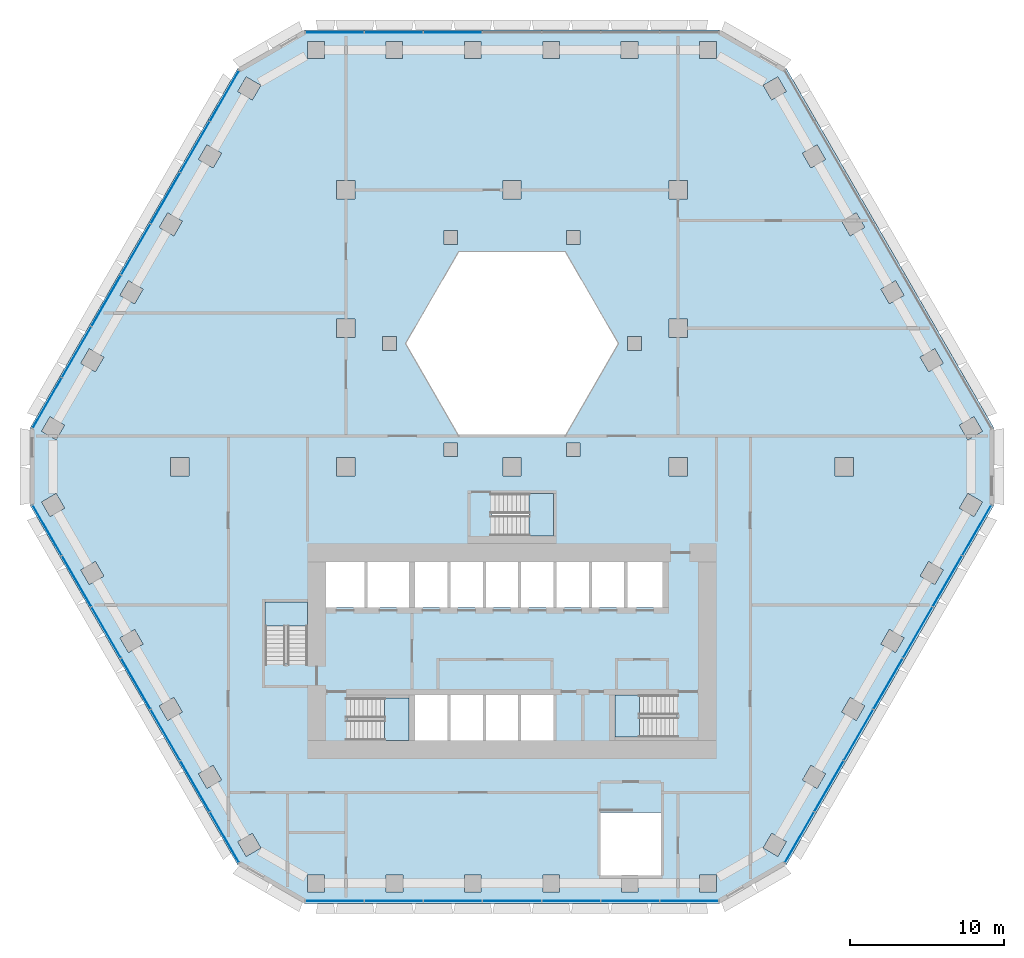
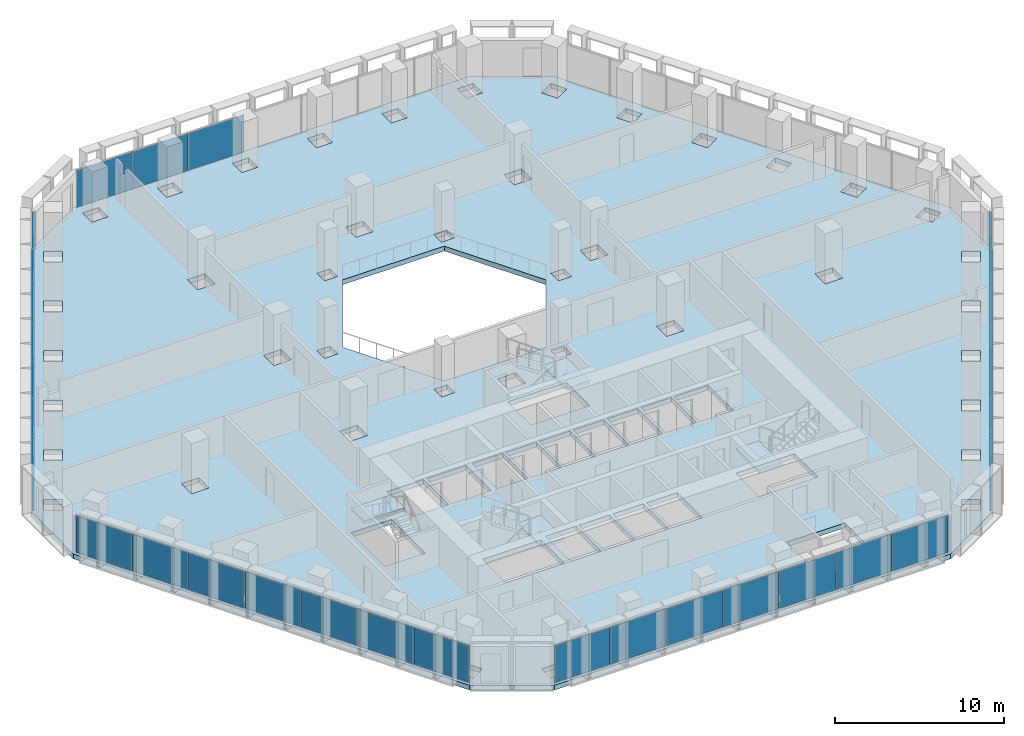
# One storey, part 10 of 21: 31 plates, 5 slabs, 9 elements without a shape of their own.
"""IFC4 building model written with IfcOpenShell, lengths in metres."""

import ifcopenshell
import ifcopenshell.guid

model = None  # the IFC model being written
_history = None  # IfcOwnerHistory: only IFC2X3 demands one
_inside = {}  # id of a spatial element -> (the spatial element, [elements in it])
_under = {}  # id of a project, library or spatial element -> (it, [spatial elements below it])
_declared = {}  # id of a project -> (the project, [libraries it declares])
_typed = {}  # id of a type object -> (the type object, [elements of that type])
_made_of = {}  # id of a material, layer set ... -> (it, [elements and type objects made of it])


def new_model(schema):
    """Start an empty IFC model of exactly this schema.

    Asked for "IFC4X3", IfcOpenShell would pick the latest addendum, in which some entities
    have other attributes; the version numbers below select the first issue.
    IFC2X3 requires an IfcOwnerHistory on every rooted entity: one is made here for all.
    """
    global model, _history
    if schema == "IFC4X3":
        model = ifcopenshell.file(schema_version=(4, 3, 0, 0))
    else:
        model = ifcopenshell.file(schema=schema)
    _inside.clear()
    _under.clear()
    _declared.clear()
    _typed.clear()
    _made_of.clear()
    _history = None
    if model.schema == "IFC2X3":
        org = make("IfcOrganization", Name="unknown")
        user = make(
            "IfcPersonAndOrganization",
            ThePerson=make("IfcPerson", FamilyName="unknown"),
            TheOrganization=org,
        )
        app = make(
            "IfcApplication",
            ApplicationDeveloper=org,
            Version="unknown",
            ApplicationFullName="unknown",
            ApplicationIdentifier="unknown",
        )
        _history = make(
            "IfcOwnerHistory",
            OwningUser=user,
            OwningApplication=app,
            ChangeAction="ADDED",
            CreationDate=0,
        )
    return model


def make(cls, **values):
    """One entity of the class cls with the attributes given. An attribute that is None is left unset."""
    return model.create_entity(
        cls, **{name: value for name, value in values.items() if value is not None}
    )


def rooted(cls, **values):
    """An entity with a GlobalId (a new one), such as an element, a storey or a relation."""
    return make(cls, GlobalId=ifcopenshell.guid.new(), OwnerHistory=_history, **values)


def si_unit(unit_type, name, prefix=None):
    """IfcSIUnit, for example si_unit("LENGTHUNIT", "METRE", prefix="MILLI")."""
    return make("IfcSIUnit", UnitType=unit_type, Prefix=prefix, Name=name)


def assignment(units):
    """IfcUnitAssignment: the units of a project."""
    return None if units is None else make("IfcUnitAssignment", Units=units)


def point(xyz):
    """IfcCartesianPoint."""
    return None if xyz is None else make("IfcCartesianPoint", Coordinates=xyz)


def direction(xyz):
    """IfcDirection."""
    return None if xyz is None else make("IfcDirection", DirectionRatios=xyz)


def frame(location, z_axis=None, x_axis=None):
    """IfcAxis2Placement3D, a coordinate frame: its origin and axes. An axis left out is left unset."""
    return make(
        "IfcAxis2Placement3D",
        Location=point(location),
        Axis=direction(z_axis),
        RefDirection=direction(x_axis),
    )


def frame_2d(location, x_axis=None):
    """IfcAxis2Placement2D, a coordinate frame in the plane: its origin and x axis."""
    return make(
        "IfcAxis2Placement2D", Location=point(location), RefDirection=direction(x_axis)
    )


def origin():
    """The frame at (0, 0, 0) with its axes left unset."""
    return frame((0.0, 0.0, 0.0))


def origin_2d():
    """The frame at (0, 0) in the plane with its x axis left unset."""
    return frame_2d((0.0, 0.0))


def place(relative_to, where):
    """IfcLocalPlacement: puts the frame where relative to a parent placement (None: the world)."""
    return make(
        "IfcLocalPlacement", PlacementRelTo=relative_to, RelativePlacement=where
    )


def context(
    kind, dimensions, precision=None, world=None, true_north=None, identifier=None
):
    """IfcGeometricRepresentationContext, for example the 3D "Model" context."""
    return make(
        "IfcGeometricRepresentationContext",
        ContextIdentifier=identifier,
        ContextType=kind,
        CoordinateSpaceDimension=dimensions,
        Precision=precision,
        WorldCoordinateSystem=world,
        TrueNorth=true_north,
    )


def subcontext(parent, identifier, kind, view, scale=None):
    """IfcGeometricRepresentationSubContext, for example "Body" below "Model"."""
    return make(
        "IfcGeometricRepresentationSubContext",
        ContextIdentifier=identifier,
        ContextType=kind,
        ParentContext=parent,
        TargetScale=scale,
        TargetView=view,
    )


def project(units=None, contexts=None):
    """IfcProject with its units and contexts."""
    return rooted(
        "IfcProject",
        Name="project",
        RepresentationContexts=contexts,
        UnitsInContext=assignment(units),
    )


def spatial(cls, under=None, at=None, **own):
    """A site, building, storey or space (cls), placed at a placement, below another one or the project."""
    s = rooted(cls, ObjectPlacement=at, **own)
    if under is not None:
        _under.setdefault(under.id(), (under, []))[1].append(s)
    return s


def polyline(points):
    """IfcPolyline through the points."""
    return make("IfcPolyline", Points=[point(p) for p in points])


def profile(cls, at=None, kind="AREA", **sizes):
    """A parametric profile (cls). Its sizes go by their IFC names, for example OverallWidth=200.0."""
    return make(cls, ProfileType=kind, Position=at, **sizes)


def rectangle(**sizes):
    """IfcRectangleProfileDef."""
    return profile("IfcRectangleProfileDef", **sizes)


def outline(outer, holes=None, kind="AREA"):
    """IfcArbitraryClosedProfileDef: a profile drawn as a closed curve; with holes, ...WithVoids."""
    if holes is None:
        return make("IfcArbitraryClosedProfileDef", ProfileType=kind, OuterCurve=outer)
    return make(
        "IfcArbitraryProfileDefWithVoids",
        ProfileType=kind,
        OuterCurve=outer,
        InnerCurves=holes,
    )


def extrude(swept, where, along, depth):
    """IfcExtrudedAreaSolid: the profile swept, set in the frame where, extruded along a direction by depth."""
    return make(
        "IfcExtrudedAreaSolid",
        SweptArea=swept,
        Position=where,
        ExtrudedDirection=direction(along),
        Depth=depth,
    )


def shape(context_of_items, identifier, shape_type, items):
    """IfcShapeRepresentation: the items that make up one representation, for example the "Body"."""
    return make(
        "IfcShapeRepresentation",
        ContextOfItems=context_of_items,
        RepresentationIdentifier=identifier,
        RepresentationType=shape_type,
        Items=items,
    )


def material(Name=None, Category=None):
    """IfcMaterial."""
    return make("IfcMaterial", Name=Name, Category=Category)


def layer(
    of_material, thickness, ventilated=None, Name=None, Category=None, Priority=None
):
    """IfcMaterialLayer: one layer of a wall or slab, of a material (None: an air gap)."""
    return make(
        "IfcMaterialLayer",
        Material=of_material,
        LayerThickness=thickness,
        IsVentilated=ventilated,
        Name=Name,
        Category=Category,
        Priority=Priority,
    )


def layer_set(layers, Name=None):
    """IfcMaterialLayerSet."""
    return make("IfcMaterialLayerSet", MaterialLayers=layers, LayerSetName=Name)


def made_of(thing, what):
    """Note that an element or type object is made of a material, layer set ...; save() writes the relation."""
    if what is not None:
        _made_of.setdefault(what.id(), (what, []))[1].append(thing)
    return thing


def type_object(cls, material=None, **own):
    """A type object (cls), such as IfcWallType, which elements share."""
    return made_of(rooted(cls, **own), material)


def element(
    cls,
    number,
    at=None,
    inside=None,
    cuts=None,
    type_object=None,
    material=None,
    context=None,
    identifier="Body",
    shape_type=None,
    held_by="IfcProductDefinitionShape",
    body=None,
    shapes=None,
    **own,
):
    """One element of the class cls, such as IfcWall. Its Tag is "e" and its number.

    at: its placement. inside: the storey or other place that contains it. cuts: it is an
    opening in that element (IfcRelVoidsElement). A single representation is given by context,
    identifier, shape_type and body (its items); several are given by shapes. held_by: the class
    of the entity that holds the representations. save() writes the other relations.
    """
    e = rooted(cls, Tag="e%d" % number, ObjectPlacement=at, **own)
    if body is not None:
        shapes = [shape(context, identifier, shape_type, body)]
    if shapes is not None:
        e.Representation = make(held_by, Representations=shapes)
    if inside is not None:
        _inside.setdefault(inside.id(), (inside, []))[1].append(e)
    if cuts is not None:
        rooted(
            "IfcRelVoidsElement", RelatingBuildingElement=cuts, RelatedOpeningElement=e
        )
    if type_object is not None:
        _typed.setdefault(type_object.id(), (type_object, []))[1].append(e)
    return made_of(e, material)


def aggregate(whole, parts):
    """IfcRelAggregates: a whole, such as a stair, and the parts it consists of."""
    return rooted("IfcRelAggregates", RelatingObject=whole, RelatedObjects=parts)


def save(model, path):
    """Write the relations noted so far, then the file.

    IfcRelAggregates (storeys below a building ...), IfcRelContainedInSpatialStructure (elements
    in a storey), IfcRelDefinesByType, IfcRelAssociatesMaterial and IfcRelDeclares: one each for
    every whole, place, type object, material and project.
    """
    for whole, parts in _under.values():
        aggregate(whole, parts)
    for where, things in _inside.values():
        rooted(
            "IfcRelContainedInSpatialStructure",
            RelatedElements=things,
            RelatingStructure=where,
        )
    for kind, things in _typed.values():
        rooted("IfcRelDefinesByType", RelatedObjects=things, RelatingType=kind)
    for what, things in _made_of.values():
        rooted("IfcRelAssociatesMaterial", RelatedObjects=things, RelatingMaterial=what)
    for by, libraries in _declared.values():
        rooted("IfcRelDeclares", RelatingContext=by, RelatedDefinitions=libraries)
    model.write(path)


model = new_model("IFC4")

# Units and contexts
model_context = context("Model", 3, precision=1e-05, world=origin(), true_north=direction((0.0, 1.0)))
body_context = subcontext(model_context, "Body", "Model", "MODEL_VIEW")
ifc_project = project(units=[si_unit("LENGTHUNIT", "METRE"), si_unit("AREAUNIT", "SQUARE_METRE"), si_unit("VOLUMEUNIT", "CUBIC_METRE"), si_unit("PLANEANGLEUNIT", "RADIAN"), si_unit("MASSUNIT", "GRAM", prefix="KILO")], contexts=[model_context])

# Site, building, storey
site_placement = place(None, origin())
site = spatial("IfcSite", under=ifc_project, at=site_placement, CompositionType="ELEMENT")
building_placement = place(site_placement, origin())
building = spatial("IfcBuilding", under=site, at=building_placement, Name="Beryl Residences", CompositionType="ELEMENT")
storey_placement = place(building_placement, frame((0.0, 0.0, 19.800048828125)))
storey = spatial("IfcBuildingStorey", under=building, at=storey_placement, Name="L05", CompositionType="ELEMENT", Elevation=19.800048828125)

# Curtain wall, plates
ifc_material_1 = material(Name="Aluminium and clear glass", Category="aluminium")
curtain_wall_type = type_object("IfcCurtainWallType", Name="CW2 amenity glazing glazed wall", PredefinedType="NOTDEFINED", material=ifc_material_1)
curtain_wall_1_placement = place(storey_placement, origin())
curtain_wall_1 = element("IfcCurtainWall", 1, at=curtain_wall_1_placement, inside=storey, type_object=curtain_wall_type, Name="CW2 L05 N", PredefinedType="NOTDEFINED")
ifc_material_2 = material(Name="Clear laminated glass", Category="glass")
ifc_layer_1 = layer(ifc_material_2, 0.028076171875)
ifc_layer_set_1 = layer_set([ifc_layer_1], Name="CW2-P glazing panel 28 mm")
plate_type = type_object("IfcPlateType", Name="CW2-P glazing panel 28 mm", PredefinedType="CURTAIN_PANEL", material=ifc_layer_set_1)
plate_1_placement = place(storey_placement, frame((-3.8486328125, 28.25, 0.06005859375), z_axis=(0.0, 0.0, 1.0), x_axis=(-1.0, 0.0, 0.0)))
plate_1 = element("IfcPlate", 2, at=plate_1_placement, type_object=plate_type, Name="CW2 panel 5.1", PredefinedType="CURTAIN_PANEL", context=body_context, shape_type="SweptSolid", body=[
    extrude(rectangle(XDim=3.78857421875, YDim=0.028076171875, at=origin_2d()), origin(), (0.0, 0.0, 1.0), 2.679931640625),
])
plate_2_placement = place(storey_placement, frame((-7.697021484375, 28.25, 0.06005859375), z_axis=(0.0, 0.0, 1.0), x_axis=(-1.0, 0.0, 0.0)))
plate_2 = element("IfcPlate", 3, at=plate_2_placement, type_object=plate_type, Name="CW2 panel 6.1", PredefinedType="CURTAIN_PANEL", context=body_context, shape_type="SweptSolid", body=[
    extrude(rectangle(XDim=3.78857421875, YDim=0.028076171875, at=origin_2d()), origin(), (0.0, 0.0, 1.0), 2.679931640625),
])
plate_3_placement = place(storey_placement, frame((-11.53076171875, 28.25, 0.06005859375), z_axis=(0.0, 0.0, 1.0), x_axis=(-1.0, 0.0, 0.0)))
plate_3 = element("IfcPlate", 4, at=plate_3_placement, type_object=plate_type, Name="CW2 panel 7.1", PredefinedType="CURTAIN_PANEL", context=body_context, shape_type="SweptSolid", body=[
    extrude(rectangle(XDim=3.758544921875, YDim=0.028076171875, at=origin_2d()), origin(), (0.0, 0.0, 1.0), 2.679931640625),
])
aggregate(curtain_wall_1, [plate_1, plate_2, plate_3])

curtain_wall_2_placement = place(storey_placement, origin())
curtain_wall_2 = element("IfcCurtainWall", 5, at=curtain_wall_2_placement, inside=storey, type_object=curtain_wall_type, Name="CW2 L05 NW", PredefinedType="NOTDEFINED")
plate_4_placement = place(storey_placement, frame((-18.69970703125, 24.110595703125, 0.06005859375), z_axis=(0.0, 0.0, 1.0), x_axis=(-0.500011643322, -0.866018681405, 0.0)))
plate_4 = element("IfcPlate", 6, at=plate_4_placement, type_object=plate_type, Name="CW2 panel 1.1", PredefinedType="CURTAIN_PANEL", context=body_context, shape_type="SweptSolid", body=[
    extrude(rectangle(XDim=3.758544921875, YDim=0.028076171875, at=origin_2d()), origin(), (0.0, 0.0, 1.0), 2.679931640625),
])
plate_5_placement = place(storey_placement, frame((-20.616455078125, 20.790771484375, 0.06005859375), z_axis=(0.0, 0.0, 1.0), x_axis=(-0.500011643322, -0.866018681405, 0.0)))
plate_5 = element("IfcPlate", 7, at=plate_5_placement, type_object=plate_type, Name="CW2 panel 2.1", PredefinedType="CURTAIN_PANEL", context=body_context, shape_type="SweptSolid", body=[
    extrude(rectangle(XDim=3.78857421875, YDim=0.028076171875, at=origin_2d()), origin(), (0.0, 0.0, 1.0), 2.679931640625),
])
plate_6_placement = place(storey_placement, frame((-22.540771484375, 17.457763671875, 0.06005859375), z_axis=(0.0, 0.0, 1.0), x_axis=(-0.500011643322, -0.866018681405, 0.0)))
plate_6 = element("IfcPlate", 8, at=plate_6_placement, type_object=plate_type, Name="CW2 panel 3.1", PredefinedType="CURTAIN_PANEL", context=body_context, shape_type="SweptSolid", body=[
    extrude(rectangle(XDim=3.78857421875, YDim=0.028076171875, at=origin_2d()), origin(), (0.0, 0.0, 1.0), 2.679931640625),
])
plate_7_placement = place(storey_placement, frame((-24.465087890625, 14.125, 0.06005859375), z_axis=(0.0, 0.0, 1.0), x_axis=(-0.500011643322, -0.866018681405, 0.0)))
plate_7 = element("IfcPlate", 9, at=plate_7_placement, type_object=plate_type, Name="CW2 panel 4.1", PredefinedType="CURTAIN_PANEL", context=body_context, shape_type="SweptSolid", body=[
    extrude(rectangle(XDim=3.78857421875, YDim=0.028076171875, at=origin_2d()), origin(), (0.0, 0.0, 1.0), 2.679931640625),
])
plate_8_placement = place(storey_placement, frame((-26.389404296875, 10.792236328125, 0.06005859375), z_axis=(0.0, 0.0, 1.0), x_axis=(-0.500011643322, -0.866018681405, 0.0)))
plate_8 = element("IfcPlate", 10, at=plate_8_placement, type_object=plate_type, Name="CW2 panel 5.1", PredefinedType="CURTAIN_PANEL", context=body_context, shape_type="SweptSolid", body=[
    extrude(rectangle(XDim=3.78857421875, YDim=0.028076171875, at=origin_2d()), origin(), (0.0, 0.0, 1.0), 2.679931640625),
])
plate_9_placement = place(storey_placement, frame((-28.3134765625, 7.459228515625, 0.06005859375), z_axis=(0.0, 0.0, 1.0), x_axis=(-0.500011643322, -0.866018681405, 0.0)))
plate_9 = element("IfcPlate", 11, at=plate_9_placement, type_object=plate_type, Name="CW2 panel 6.1", PredefinedType="CURTAIN_PANEL", context=body_context, shape_type="SweptSolid", body=[
    extrude(rectangle(XDim=3.78857421875, YDim=0.028076171875, at=origin_2d()), origin(), (0.0, 0.0, 1.0), 2.679931640625),
])
plate_10_placement = place(storey_placement, frame((-30.23046875, 4.139404296875, 0.06005859375), z_axis=(0.0, 0.0, 1.0), x_axis=(-0.500011643322, -0.866018681405, 0.0)))
plate_10 = element("IfcPlate", 12, at=plate_10_placement, type_object=plate_type, Name="CW2 panel 7.1", PredefinedType="CURTAIN_PANEL", context=body_context, shape_type="SweptSolid", body=[
    extrude(rectangle(XDim=3.758544921875, YDim=0.028076171875, at=origin_2d()), origin(), (0.0, 0.0, 1.0), 2.679931640625),
])
aggregate(curtain_wall_2, [plate_4, plate_5, plate_6, plate_7, plate_8, plate_9, plate_10])

curtain_wall_3_placement = place(storey_placement, origin())
curtain_wall_3 = element("IfcCurtainWall", 13, at=curtain_wall_3_placement, inside=storey, type_object=curtain_wall_type, Name="CW2 L05 SW", PredefinedType="NOTDEFINED")
plate_11_placement = place(storey_placement, frame((-30.23046875, -4.139404296875, 0.06005859375), z_axis=(0.0, 0.0, 1.0), x_axis=(0.500011643322, -0.866018681405, 0.0)))
plate_11 = element("IfcPlate", 14, at=plate_11_placement, type_object=plate_type, Name="CW2 panel 1.1", PredefinedType="CURTAIN_PANEL", context=body_context, shape_type="SweptSolid", body=[
    extrude(rectangle(XDim=3.758544921875, YDim=0.028076171875, at=origin_2d()), origin(), (0.0, 0.0, 1.0), 2.679931640625),
])
plate_12_placement = place(storey_placement, frame((-28.3134765625, -7.459228515625, 0.06005859375), z_axis=(0.0, 0.0, 1.0), x_axis=(0.500011643322, -0.866018681405, 0.0)))
plate_12 = element("IfcPlate", 15, at=plate_12_placement, type_object=plate_type, Name="CW2 panel 2.1", PredefinedType="CURTAIN_PANEL", context=body_context, shape_type="SweptSolid", body=[
    extrude(rectangle(XDim=3.78857421875, YDim=0.028076171875, at=origin_2d()), origin(), (0.0, 0.0, 1.0), 2.679931640625),
])
plate_13_placement = place(storey_placement, frame((-26.389404296875, -10.792236328125, 0.06005859375), z_axis=(0.0, 0.0, 1.0), x_axis=(0.500011643322, -0.866018681405, 0.0)))
plate_13 = element("IfcPlate", 16, at=plate_13_placement, type_object=plate_type, Name="CW2 panel 3.1", PredefinedType="CURTAIN_PANEL", context=body_context, shape_type="SweptSolid", body=[
    extrude(rectangle(XDim=3.78857421875, YDim=0.028076171875, at=origin_2d()), origin(), (0.0, 0.0, 1.0), 2.679931640625),
])
plate_14_placement = place(storey_placement, frame((-24.465087890625, -14.125, 0.06005859375), z_axis=(0.0, 0.0, 1.0), x_axis=(0.500011643322, -0.866018681405, 0.0)))
plate_14 = element("IfcPlate", 17, at=plate_14_placement, type_object=plate_type, Name="CW2 panel 4.1", PredefinedType="CURTAIN_PANEL", context=body_context, shape_type="SweptSolid", body=[
    extrude(rectangle(XDim=3.78857421875, YDim=0.028076171875, at=origin_2d()), origin(), (0.0, 0.0, 1.0), 2.679931640625),
])
plate_15_placement = place(storey_placement, frame((-22.540771484375, -17.457763671875, 0.06005859375), z_axis=(0.0, 0.0, 1.0), x_axis=(0.500011643322, -0.866018681405, 0.0)))
plate_15 = element("IfcPlate", 18, at=plate_15_placement, type_object=plate_type, Name="CW2 panel 5.1", PredefinedType="CURTAIN_PANEL", context=body_context, shape_type="SweptSolid", body=[
    extrude(rectangle(XDim=3.78857421875, YDim=0.028076171875, at=origin_2d()), origin(), (0.0, 0.0, 1.0), 2.679931640625),
])
plate_16_placement = place(storey_placement, frame((-20.616455078125, -20.790771484375, 0.06005859375), z_axis=(0.0, 0.0, 1.0), x_axis=(0.500011643322, -0.866018681405, 0.0)))
plate_16 = element("IfcPlate", 19, at=plate_16_placement, type_object=plate_type, Name="CW2 panel 6.1", PredefinedType="CURTAIN_PANEL", context=body_context, shape_type="SweptSolid", body=[
    extrude(rectangle(XDim=3.78857421875, YDim=0.028076171875, at=origin_2d()), origin(), (0.0, 0.0, 1.0), 2.679931640625),
])
plate_17_placement = place(storey_placement, frame((-18.69970703125, -24.110595703125, 0.06005859375), z_axis=(0.0, 0.0, 1.0), x_axis=(0.500011643322, -0.866018681405, 0.0)))
plate_17 = element("IfcPlate", 20, at=plate_17_placement, type_object=plate_type, Name="CW2 panel 7.1", PredefinedType="CURTAIN_PANEL", context=body_context, shape_type="SweptSolid", body=[
    extrude(rectangle(XDim=3.758544921875, YDim=0.028076171875, at=origin_2d()), origin(), (0.0, 0.0, 1.0), 2.679931640625),
])
aggregate(curtain_wall_3, [plate_11, plate_12, plate_13, plate_14, plate_15, plate_16, plate_17])

curtain_wall_4_placement = place(storey_placement, origin())
curtain_wall_4 = element("IfcCurtainWall", 21, at=curtain_wall_4_placement, inside=storey, type_object=curtain_wall_type, Name="CW2 L05 S", PredefinedType="NOTDEFINED")
plate_18_placement = place(storey_placement, frame((-11.53076171875, -28.25, 0.06005859375), z_axis=(0.0, 0.0, 1.0), x_axis=(1.0, 0.0, 0.0)))
plate_18 = element("IfcPlate", 22, at=plate_18_placement, type_object=plate_type, Name="CW2 panel 1.1", PredefinedType="CURTAIN_PANEL", context=body_context, shape_type="SweptSolid", body=[
    extrude(rectangle(XDim=3.758544921875, YDim=0.028076171875, at=origin_2d()), origin(), (0.0, 0.0, 1.0), 2.679931640625),
])
plate_19_placement = place(storey_placement, frame((-7.697021484375, -28.25, 0.06005859375), z_axis=(0.0, 0.0, 1.0), x_axis=(1.0, 0.0, 0.0)))
plate_19 = element("IfcPlate", 23, at=plate_19_placement, type_object=plate_type, Name="CW2 panel 2.1", PredefinedType="CURTAIN_PANEL", context=body_context, shape_type="SweptSolid", body=[
    extrude(rectangle(XDim=3.78857421875, YDim=0.028076171875, at=origin_2d()), origin(), (0.0, 0.0, 1.0), 2.679931640625),
])
plate_20_placement = place(storey_placement, frame((-3.8486328125, -28.25, 0.06005859375), z_axis=(0.0, 0.0, 1.0), x_axis=(1.0, 0.0, 0.0)))
plate_20 = element("IfcPlate", 24, at=plate_20_placement, type_object=plate_type, Name="CW2 panel 3.1", PredefinedType="CURTAIN_PANEL", context=body_context, shape_type="SweptSolid", body=[
    extrude(rectangle(XDim=3.78857421875, YDim=0.028076171875, at=origin_2d()), origin(), (0.0, 0.0, 1.0), 2.679931640625),
])
plate_21_placement = place(storey_placement, frame((0.0, -28.25, 0.06005859375), z_axis=(0.0, 0.0, 1.0), x_axis=(1.0, 0.0, 0.0)))
plate_21 = element("IfcPlate", 25, at=plate_21_placement, type_object=plate_type, Name="CW2 panel 4.1", PredefinedType="CURTAIN_PANEL", context=body_context, shape_type="SweptSolid", body=[
    extrude(rectangle(XDim=3.78857421875, YDim=0.028076171875, at=origin_2d()), origin(), (0.0, 0.0, 1.0), 2.679931640625),
])
plate_22_placement = place(storey_placement, frame((3.8486328125, -28.25, 0.06005859375), z_axis=(0.0, 0.0, 1.0), x_axis=(1.0, 0.0, 0.0)))
plate_22 = element("IfcPlate", 26, at=plate_22_placement, type_object=plate_type, Name="CW2 panel 5.1", PredefinedType="CURTAIN_PANEL", context=body_context, shape_type="SweptSolid", body=[
    extrude(rectangle(XDim=3.78857421875, YDim=0.028076171875, at=origin_2d()), origin(), (0.0, 0.0, 1.0), 2.679931640625),
])
plate_23_placement = place(storey_placement, frame((7.697021484375, -28.25, 0.06005859375), z_axis=(0.0, 0.0, 1.0), x_axis=(1.0, 0.0, 0.0)))
plate_23 = element("IfcPlate", 27, at=plate_23_placement, type_object=plate_type, Name="CW2 panel 6.1", PredefinedType="CURTAIN_PANEL", context=body_context, shape_type="SweptSolid", body=[
    extrude(rectangle(XDim=3.78857421875, YDim=0.028076171875, at=origin_2d()), origin(), (0.0, 0.0, 1.0), 2.679931640625),
])
plate_24_placement = place(storey_placement, frame((11.53076171875, -28.25, 0.06005859375), z_axis=(0.0, 0.0, 1.0), x_axis=(1.0, 0.0, 0.0)))
plate_24 = element("IfcPlate", 28, at=plate_24_placement, type_object=plate_type, Name="CW2 panel 7.1", PredefinedType="CURTAIN_PANEL", context=body_context, shape_type="SweptSolid", body=[
    extrude(rectangle(XDim=3.758544921875, YDim=0.028076171875, at=origin_2d()), origin(), (0.0, 0.0, 1.0), 2.679931640625),
])
aggregate(curtain_wall_4, [plate_18, plate_19, plate_20, plate_21, plate_22, plate_23, plate_24])

curtain_wall_5_placement = place(storey_placement, origin())
curtain_wall_5 = element("IfcCurtainWall", 29, at=curtain_wall_5_placement, inside=storey, type_object=curtain_wall_type, Name="CW2 L05 SE", PredefinedType="NOTDEFINED")
plate_25_placement = place(storey_placement, frame((18.69970703125, -24.110595703125, 0.06005859375), z_axis=(0.0, 0.0, 1.0), x_axis=(0.500011643322, 0.866018681405, 0.0)))
plate_25 = element("IfcPlate", 30, at=plate_25_placement, type_object=plate_type, Name="CW2 panel 1.1", PredefinedType="CURTAIN_PANEL", context=body_context, shape_type="SweptSolid", body=[
    extrude(rectangle(XDim=3.758544921875, YDim=0.028076171875, at=origin_2d()), origin(), (0.0, 0.0, 1.0), 2.679931640625),
])
plate_26_placement = place(storey_placement, frame((20.616455078125, -20.790771484375, 0.06005859375), z_axis=(0.0, 0.0, 1.0), x_axis=(0.500011643322, 0.866018681405, 0.0)))
plate_26 = element("IfcPlate", 31, at=plate_26_placement, type_object=plate_type, Name="CW2 panel 2.1", PredefinedType="CURTAIN_PANEL", context=body_context, shape_type="SweptSolid", body=[
    extrude(rectangle(XDim=3.78857421875, YDim=0.028076171875, at=origin_2d()), origin(), (0.0, 0.0, 1.0), 2.679931640625),
])
plate_27_placement = place(storey_placement, frame((22.540771484375, -17.457763671875, 0.06005859375), z_axis=(0.0, 0.0, 1.0), x_axis=(0.500011643322, 0.866018681405, 0.0)))
plate_27 = element("IfcPlate", 32, at=plate_27_placement, type_object=plate_type, Name="CW2 panel 3.1", PredefinedType="CURTAIN_PANEL", context=body_context, shape_type="SweptSolid", body=[
    extrude(rectangle(XDim=3.78857421875, YDim=0.028076171875, at=origin_2d()), origin(), (0.0, 0.0, 1.0), 2.679931640625),
])
plate_28_placement = place(storey_placement, frame((24.465087890625, -14.125, 0.06005859375), z_axis=(0.0, 0.0, 1.0), x_axis=(0.500011643322, 0.866018681405, 0.0)))
plate_28 = element("IfcPlate", 33, at=plate_28_placement, type_object=plate_type, Name="CW2 panel 4.1", PredefinedType="CURTAIN_PANEL", context=body_context, shape_type="SweptSolid", body=[
    extrude(rectangle(XDim=3.78857421875, YDim=0.028076171875, at=origin_2d()), origin(), (0.0, 0.0, 1.0), 2.679931640625),
])
plate_29_placement = place(storey_placement, frame((26.389404296875, -10.792236328125, 0.06005859375), z_axis=(0.0, 0.0, 1.0), x_axis=(0.500011643322, 0.866018681405, 0.0)))
plate_29 = element("IfcPlate", 34, at=plate_29_placement, type_object=plate_type, Name="CW2 panel 5.1", PredefinedType="CURTAIN_PANEL", context=body_context, shape_type="SweptSolid", body=[
    extrude(rectangle(XDim=3.78857421875, YDim=0.028076171875, at=origin_2d()), origin(), (0.0, 0.0, 1.0), 2.679931640625),
])
plate_30_placement = place(storey_placement, frame((28.3134765625, -7.459228515625, 0.06005859375), z_axis=(0.0, 0.0, 1.0), x_axis=(0.500011643322, 0.866018681405, 0.0)))
plate_30 = element("IfcPlate", 35, at=plate_30_placement, type_object=plate_type, Name="CW2 panel 6.1", PredefinedType="CURTAIN_PANEL", context=body_context, shape_type="SweptSolid", body=[
    extrude(rectangle(XDim=3.78857421875, YDim=0.028076171875, at=origin_2d()), origin(), (0.0, 0.0, 1.0), 2.679931640625),
])
plate_31_placement = place(storey_placement, frame((30.23046875, -4.139404296875, 0.06005859375), z_axis=(0.0, 0.0, 1.0), x_axis=(0.500011643322, 0.866018681405, 0.0)))
plate_31 = element("IfcPlate", 36, at=plate_31_placement, type_object=plate_type, Name="CW2 panel 7.1", PredefinedType="CURTAIN_PANEL", context=body_context, shape_type="SweptSolid", body=[
    extrude(rectangle(XDim=3.758544921875, YDim=0.028076171875, at=origin_2d()), origin(), (0.0, 0.0, 1.0), 2.679931640625),
])
aggregate(curtain_wall_5, [plate_25, plate_26, plate_27, plate_28, plate_29, plate_30, plate_31])

# Slab
ifc_material_3 = material(Name="Concrete C40/50", Category="concrete")
ifc_layer_2 = layer(ifc_material_3, 0.35009765625)
ifc_layer_set_2 = layer_set([ifc_layer_2], Name="SL5 PT floor slab 350 mm C40/50")
slab_type_1 = type_object("IfcSlabType", Name="SL5 PT floor slab 350 mm C40/50", PredefinedType="FLOOR", material=ifc_layer_set_2)
slab_1_placement = place(storey_placement, frame((0.0, 0.0, -0.35009765625)))
element("IfcSlab", 37, at=slab_1_placement, inside=storey, type_object=slab_type_1, Name="L05 slab 1", PredefinedType="FLOOR", context=body_context, shape_type="SweptSolid", body=[
    extrude(outline(polyline([(31.35009765625, -2.5), (17.840087890625, -25.89990234375), (13.510009765625, -28.39990234375), (-13.510009765625, -28.39990234375), (-17.840087890625, -25.89990234375), (-31.35009765625, -2.5), (-31.35009765625, 2.5), (-17.840087890625, 25.89990234375), (-13.510009765625, 28.39990234375), (13.510009765625, 28.39990234375), (17.840087890625, 25.89990234375), (31.35009765625, 2.5), (31.35009765625, -2.5)]), holes=[polyline([(29.64794921875, -1.748046875), (29.097900390625, -2.699951171875), (30.050048828125, -3.25), (30.60009765625, -2.298095703125), (29.64794921875, -1.748046875)]), polyline([(30.59912109375, 2.299072265625), (30.049072265625, 3.2509765625), (29.096923828125, 2.700927734375), (29.64697265625, 1.7490234375), (30.59912109375, 2.299072265625)]), polyline([(28.049072265625, -6.718017578125), (27.096923828125, -6.16796875), (26.547119140625, -7.1201171875), (27.4990234375, -7.669921875), (28.049072265625, -6.718017578125)]), polyline([(26.5458984375, 7.1220703125), (27.095947265625, 6.169921875), (28.048095703125, 6.719970703125), (27.498046875, 7.672119140625), (26.5458984375, 7.1220703125)]), polyline([(25.4970703125, -11.137939453125), (24.544921875, -10.587890625), (23.9951171875, -11.5400390625), (24.947021484375, -12.090087890625), (25.4970703125, -11.137939453125)]), polyline([(24.946044921875, 12.092041015625), (23.993896484375, 11.5419921875), (24.5439453125, 10.590087890625), (25.49609375, 11.139892578125), (24.946044921875, 12.092041015625)]), polyline([(21.992919921875, -15.008056640625), (21.443115234375, -15.9599609375), (22.39501953125, -16.510009765625), (22.945068359375, -15.55810546875), (21.992919921875, -15.008056640625)]), polyline([(22.39404296875, 16.511962890625), (21.44189453125, 15.9619140625), (21.991943359375, 15.010009765625), (22.944091796875, 15.56005859375), (22.39404296875, 16.511962890625)]), polyline([(21.0, -0.60009765625), (22.199951171875, -0.60009765625), (22.199951171875, 0.60009765625), (21.0, 0.60009765625), (21.0, -0.60009765625)]), polyline([(19.843017578125, -20.930908203125), (20.39306640625, -19.97900390625), (19.44091796875, -19.428955078125), (18.89111328125, -20.381103515625), (19.843017578125, -20.930908203125)]), polyline([(19.842041015625, 20.931884765625), (18.889892578125, 20.382080078125), (19.43994140625, 19.429931640625), (20.39208984375, 19.97998046875), (19.842041015625, 20.931884765625)]), polyline([(17.841064453125, -24.39892578125), (16.888916015625, -23.84912109375), (16.339111328125, -24.801025390625), (17.291015625, -25.35107421875), (17.841064453125, -24.39892578125)]), polyline([(17.840087890625, 24.39990234375), (17.2900390625, 25.35205078125), (16.337890625, 24.802001953125), (16.887939453125, 23.85009765625), (17.840087890625, 24.39990234375)]), polyline([(13.31103515625, -27.64990234375), (13.31103515625, -26.550048828125), (12.2109375, -26.550048828125), (12.2109375, -27.64990234375), (13.31103515625, -27.64990234375)]), polyline([(13.30908203125, 27.64990234375), (12.208984375, 27.64990234375), (12.208984375, 26.550048828125), (13.30908203125, 26.550048828125), (13.30908203125, 27.64990234375)]), polyline([(11.39990234375, 17.39990234375), (11.39990234375, 18.60009765625), (10.199951171875, 18.60009765625), (10.199951171875, 17.39990234375), (11.39990234375, 17.39990234375)]), polyline([(11.39990234375, -0.60009765625), (11.39990234375, 0.60009765625), (10.199951171875, 0.60009765625), (10.199951171875, -0.60009765625), (11.39990234375, -0.60009765625)]), polyline([(11.39990234375, 8.39990234375), (11.39990234375, 9.60009765625), (10.199951171875, 9.60009765625), (10.199951171875, 8.39990234375), (11.39990234375, 8.39990234375)]), polyline([(6.699951171875, -14.85009765625), (6.699951171875, -17.60009765625), (10.699951171875, -17.60009765625), (10.699951171875, -14.85009765625), (6.699951171875, -14.85009765625)]), polyline([(9.800048828125, -6.199951171875), (7.5, -6.199951171875), (7.5, -9.14990234375), (9.800048828125, -9.14990234375), (9.800048828125, -6.199951171875)]), polyline([(7.10693359375, -27.64990234375), (8.20703125, -27.64990234375), (8.20703125, -26.60009765625), (9.699951171875, -26.60009765625), (9.699951171875, -22.5), (5.75, -22.5), (5.75, -26.60009765625), (7.10693359375, -26.60009765625), (7.10693359375, -27.64990234375)]), polyline([(8.4169921875, 7.550048828125), (8.4169921875, 8.449951171875), (7.51708984375, 8.449951171875), (7.51708984375, 7.550048828125), (8.4169921875, 7.550048828125)]), polyline([(7.10498046875, 27.64990234375), (7.10498046875, 26.550048828125), (8.205078125, 26.550048828125), (8.205078125, 27.64990234375), (7.10498046875, 27.64990234375)]), polyline([(5.199951171875, -6.199951171875), (5.199951171875, -9.14990234375), (7.300048828125, -9.14990234375), (7.300048828125, -6.199951171875), (5.199951171875, -6.199951171875)]), polyline([(3.464111328125, 14.0), (-3.464111328125, 14.0), (-6.92822265625, 8.0), (-3.464111328125, 2.0), (3.464111328125, 2.0), (6.92822265625, 8.0), (3.464111328125, 14.0)]), polyline([(2.89990234375, -9.14990234375), (5.0, -9.14990234375), (5.0, -6.199951171875), (2.89990234375, -6.199951171875), (2.89990234375, -9.14990234375)]), polyline([(4.43408203125, 14.449951171875), (4.43408203125, 15.35009765625), (3.533935546875, 15.35009765625), (3.533935546875, 14.449951171875), (4.43408203125, 14.449951171875)]), polyline([(4.43408203125, 0.64990234375), (4.43408203125, 1.550048828125), (3.533935546875, 1.550048828125), (3.533935546875, 0.64990234375), (4.43408203125, 0.64990234375)]), polyline([(3.10302734375, -27.64990234375), (3.10302734375, -26.550048828125), (2.0029296875, -26.550048828125), (2.0029296875, -27.64990234375), (3.10302734375, -27.64990234375)]), polyline([(2.0009765625, 26.550048828125), (3.10107421875, 26.550048828125), (3.10107421875, 27.64990234375), (2.0009765625, 27.64990234375), (2.0009765625, 26.550048828125)]), polyline([(-1.300048828125, -1.75), (-1.300048828125, -4.5), (2.699951171875, -4.5), (2.699951171875, -1.75), (-1.300048828125, -1.75)]), polyline([(0.60009765625, -9.14990234375), (2.699951171875, -9.14990234375), (2.699951171875, -6.199951171875), (0.60009765625, -6.199951171875), (0.60009765625, -9.14990234375)]), polyline([(0.60009765625, -17.800048828125), (2.699951171875, -17.800048828125), (2.699951171875, -14.85009765625), (0.60009765625, -14.85009765625), (0.60009765625, -17.800048828125)]), polyline([(0.60009765625, -0.60009765625), (0.60009765625, 0.60009765625), (-0.60009765625, 0.60009765625), (-0.60009765625, -0.60009765625), (0.60009765625, -0.60009765625)]), polyline([(0.60009765625, 17.39990234375), (0.60009765625, 18.60009765625), (-0.60009765625, 18.60009765625), (-0.60009765625, 17.39990234375), (0.60009765625, 17.39990234375)]), polyline([(-1.699951171875, -9.14990234375), (0.39990234375, -9.14990234375), (0.39990234375, -6.199951171875), (-1.699951171875, -6.199951171875), (-1.699951171875, -9.14990234375)]), polyline([(-1.699951171875, -17.800048828125), (0.39990234375, -17.800048828125), (0.39990234375, -14.85009765625), (-1.699951171875, -14.85009765625), (-1.699951171875, -17.800048828125)]), polyline([(-4.0, -17.800048828125), (-1.89990234375, -17.800048828125), (-1.89990234375, -14.85009765625), (-4.0, -14.85009765625), (-4.0, -17.800048828125)]), polyline([(-4.0, -6.199951171875), (-4.0, -9.14990234375), (-1.89990234375, -9.14990234375), (-1.89990234375, -6.199951171875), (-4.0, -6.199951171875)]), polyline([(-2.0009765625, -26.550048828125), (-3.10107421875, -26.550048828125), (-3.10107421875, -27.64990234375), (-2.0009765625, -27.64990234375), (-2.0009765625, -26.550048828125)]), polyline([(-3.10302734375, 27.64990234375), (-3.10302734375, 26.550048828125), (-2.0029296875, 26.550048828125), (-2.0029296875, 27.64990234375), (-3.10302734375, 27.64990234375)]), polyline([(-3.533935546875, 15.35009765625), (-4.43408203125, 15.35009765625), (-4.43408203125, 14.449951171875), (-3.533935546875, 14.449951171875), (-3.533935546875, 15.35009765625)]), polyline([(-3.533935546875, 0.64990234375), (-3.533935546875, 1.550048828125), (-4.43408203125, 1.550048828125), (-4.43408203125, 0.64990234375), (-3.533935546875, 0.64990234375)]), polyline([(-4.199951171875, -6.199951171875), (-6.300048828125, -6.199951171875), (-6.300048828125, -9.14990234375), (-4.199951171875, -9.14990234375), (-4.199951171875, -6.199951171875)]), polyline([(-6.300048828125, -17.800048828125), (-4.199951171875, -17.800048828125), (-4.199951171875, -14.85009765625), (-6.300048828125, -14.85009765625), (-6.300048828125, -17.800048828125)]), polyline([(-6.699951171875, -17.800048828125), (-6.699951171875, -15.050048828125), (-10.699951171875, -15.050048828125), (-10.699951171875, -17.800048828125), (-6.699951171875, -17.800048828125)]), polyline([(-9.39990234375, -9.14990234375), (-6.699951171875, -9.14990234375), (-6.699951171875, -6.199951171875), (-9.39990234375, -6.199951171875), (-9.39990234375, -9.14990234375)]), polyline([(-8.205078125, -27.64990234375), (-7.10498046875, -27.64990234375), (-7.10498046875, -26.550048828125), (-8.205078125, -26.550048828125), (-8.205078125, -27.64990234375)]), polyline([(-8.20703125, 27.64990234375), (-8.20703125, 26.550048828125), (-7.10693359375, 26.550048828125), (-7.10693359375, 27.64990234375), (-8.20703125, 27.64990234375)]), polyline([(-7.51708984375, 7.550048828125), (-7.51708984375, 8.449951171875), (-8.4169921875, 8.449951171875), (-8.4169921875, 7.550048828125), (-7.51708984375, 7.550048828125)]), polyline([(-12.10009765625, -9.14990234375), (-9.60009765625, -9.14990234375), (-9.60009765625, -6.199951171875), (-12.10009765625, -6.199951171875), (-12.10009765625, -9.14990234375)]), polyline([(-10.199951171875, 17.39990234375), (-10.199951171875, 18.60009765625), (-11.39990234375, 18.60009765625), (-11.39990234375, 17.39990234375), (-10.199951171875, 17.39990234375)]), polyline([(-11.39990234375, 8.39990234375), (-10.199951171875, 8.39990234375), (-10.199951171875, 9.60009765625), (-11.39990234375, 9.60009765625), (-11.39990234375, 8.39990234375)]), polyline([(-10.199951171875, -0.60009765625), (-10.199951171875, 0.60009765625), (-11.39990234375, 0.60009765625), (-11.39990234375, -0.60009765625), (-10.199951171875, -0.60009765625)]), polyline([(-12.208984375, -26.550048828125), (-13.30908203125, -26.550048828125), (-13.30908203125, -27.64990234375), (-12.208984375, -27.64990234375), (-12.208984375, -26.550048828125)]), polyline([(-13.31103515625, 27.64990234375), (-13.31103515625, 26.550048828125), (-12.2109375, 26.550048828125), (-12.2109375, 27.64990234375), (-13.31103515625, 27.64990234375)]), polyline([(-13.300048828125, -8.800048828125), (-16.050048828125, -8.800048828125), (-16.050048828125, -12.800048828125), (-13.300048828125, -12.800048828125), (-13.300048828125, -8.800048828125)]), polyline([(-17.2900390625, -25.35205078125), (-16.337890625, -24.802001953125), (-16.887939453125, -23.85009765625), (-17.840087890625, -24.39990234375), (-17.2900390625, -25.35205078125)]), polyline([(-16.888916015625, 23.84912109375), (-16.339111328125, 24.801025390625), (-17.291015625, 25.35107421875), (-17.841064453125, 24.39892578125), (-16.888916015625, 23.84912109375)]), polyline([(-19.842041015625, -20.931884765625), (-18.889892578125, -20.382080078125), (-19.43994140625, -19.429931640625), (-20.39208984375, -19.97998046875), (-19.842041015625, -20.931884765625)]), polyline([(-20.39306640625, 19.97900390625), (-19.44091796875, 19.428955078125), (-18.89111328125, 20.381103515625), (-19.843017578125, 20.930908203125), (-20.39306640625, 19.97900390625)]), polyline([(-21.0, -0.60009765625), (-21.0, 0.60009765625), (-22.199951171875, 0.60009765625), (-22.199951171875, -0.60009765625), (-21.0, -0.60009765625)]), polyline([(-21.44189453125, -15.9619140625), (-21.991943359375, -15.010009765625), (-22.944091796875, -15.56005859375), (-22.39404296875, -16.511962890625), (-21.44189453125, -15.9619140625)]), polyline([(-21.992919921875, 15.008056640625), (-21.443115234375, 15.9599609375), (-22.39501953125, 16.510009765625), (-22.945068359375, 15.55810546875), (-21.992919921875, 15.008056640625)]), polyline([(-24.946044921875, -12.092041015625), (-23.993896484375, -11.5419921875), (-24.5439453125, -10.590087890625), (-25.49609375, -11.139892578125), (-24.946044921875, -12.092041015625)]), polyline([(-25.4970703125, 11.137939453125), (-24.544921875, 10.587890625), (-23.9951171875, 11.5400390625), (-24.947021484375, 12.090087890625), (-25.4970703125, 11.137939453125)]), polyline([(-27.498046875, -7.672119140625), (-26.5458984375, -7.1220703125), (-27.095947265625, -6.169921875), (-28.048095703125, -6.719970703125), (-27.498046875, -7.672119140625)]), polyline([(-28.049072265625, 6.718017578125), (-27.096923828125, 6.16796875), (-26.547119140625, 7.1201171875), (-27.4990234375, 7.669921875), (-28.049072265625, 6.718017578125)]), polyline([(-29.096923828125, -2.700927734375), (-29.64697265625, -1.7490234375), (-30.59912109375, -2.299072265625), (-30.049072265625, -3.2509765625), (-29.096923828125, -2.700927734375)]), polyline([(-30.60009765625, 2.298095703125), (-29.64794921875, 1.748046875), (-29.097900390625, 2.699951171875), (-30.050048828125, 3.25), (-30.60009765625, 2.298095703125)])]), origin(), (0.0, 0.0, 1.0), 0.35009765625),
])

# Stair, slab
ifc_material_4 = material(Name="Concrete C40/50", Category="concrete")
stair_type = type_object("IfcStairType", Name="ST1 protected exit stair, half-turn, 1300 mm flights", PredefinedType="HALF_TURN_STAIR", material=ifc_material_4)
stair_1_placement = place(storey_placement, origin())
stair_1 = element("IfcStair", 38, at=stair_1_placement, inside=storey, type_object=stair_type, Name="L05 PROTECTED EXIT STAIR ST-1", PredefinedType="HALF_TURN_STAIR")
ifc_material_5 = material(Name="Concrete C40/50", Category="concrete")
ifc_layer_3 = layer(ifc_material_5, 0.199951171875)
ifc_layer_set_3 = layer_set([ifc_layer_3], Name="SLD1 stair landing 200 mm")
slab_type_2 = type_object("IfcSlabType", Name="SLD1 stair landing 200 mm", PredefinedType="LANDING", material=ifc_layer_set_3)
slab_2_placement = place(storey_placement, frame((0.0, 0.0, 1.599853515625)))
slab_2 = element("IfcSlab", 39, at=slab_2_placement, type_object=slab_type_2, Name="ST-1 landing 1", PredefinedType="LANDING", context=body_context, shape_type="SweptSolid", body=[
    extrude(outline(polyline([(-8.280029296875, -17.800048828125), (-6.699951171875, -17.800048828125), (-6.699951171875, -15.050048828125), (-8.280029296875, -15.050048828125), (-8.280029296875, -17.800048828125)])), origin(), (0.0, 0.0, 1.0), 0.2001953125),
])
aggregate(stair_1, [slab_2])

stair_2_placement = place(storey_placement, origin())
stair_2 = element("IfcStair", 40, at=stair_2_placement, inside=storey, type_object=stair_type, Name="L05 PROTECTED EXIT STAIR ST-2", PredefinedType="HALF_TURN_STAIR")
slab_3_placement = place(storey_placement, frame((0.0, 0.0, 1.599853515625)))
slab_3 = element("IfcSlab", 41, at=slab_3_placement, type_object=slab_type_2, Name="ST-2 landing 1", PredefinedType="LANDING", context=body_context, shape_type="SweptSolid", body=[
    extrude(outline(polyline([(-13.300048828125, -10.3798828125), (-13.300048828125, -8.800048828125), (-16.050048828125, -8.800048828125), (-16.050048828125, -10.3798828125), (-13.300048828125, -10.3798828125)])), origin(), (0.0, 0.0, 1.0), 0.2001953125),
])
aggregate(stair_2, [slab_3])

stair_3_placement = place(storey_placement, origin())
stair_3 = element("IfcStair", 42, at=stair_3_placement, inside=storey, type_object=stair_type, Name="L05 PROTECTED EXIT STAIR ST-3", PredefinedType="HALF_TURN_STAIR")
slab_4_placement = place(storey_placement, frame((0.0, 0.0, 1.599853515625)))
slab_4 = element("IfcSlab", 43, at=slab_4_placement, type_object=slab_type_2, Name="ST-3 landing 1", PredefinedType="LANDING", context=body_context, shape_type="SweptSolid", body=[
    extrude(outline(polyline([(8.280029296875, -14.85009765625), (6.699951171875, -14.85009765625), (6.699951171875, -17.60009765625), (8.280029296875, -17.60009765625), (8.280029296875, -14.85009765625)])), origin(), (0.0, 0.0, 1.0), 0.2001953125),
])
aggregate(stair_3, [slab_4])

stair_4_placement = place(storey_placement, origin())
stair_4 = element("IfcStair", 44, at=stair_4_placement, inside=storey, type_object=stair_type, Name="L05 PROTECTED EXIT STAIR ST-4", PredefinedType="HALF_TURN_STAIR")
slab_5_placement = place(storey_placement, frame((0.0, 0.0, 1.599853515625)))
slab_5 = element("IfcSlab", 45, at=slab_5_placement, type_object=slab_type_2, Name="ST-4 landing 1", PredefinedType="LANDING", context=body_context, shape_type="SweptSolid", body=[
    extrude(outline(polyline([(1.1201171875, -4.5), (2.699951171875, -4.5), (2.699951171875, -1.75), (1.1201171875, -1.75), (1.1201171875, -4.5)])), origin(), (0.0, 0.0, 1.0), 0.2001953125),
])
aggregate(stair_4, [slab_5])

save(model, "model.ifc")
